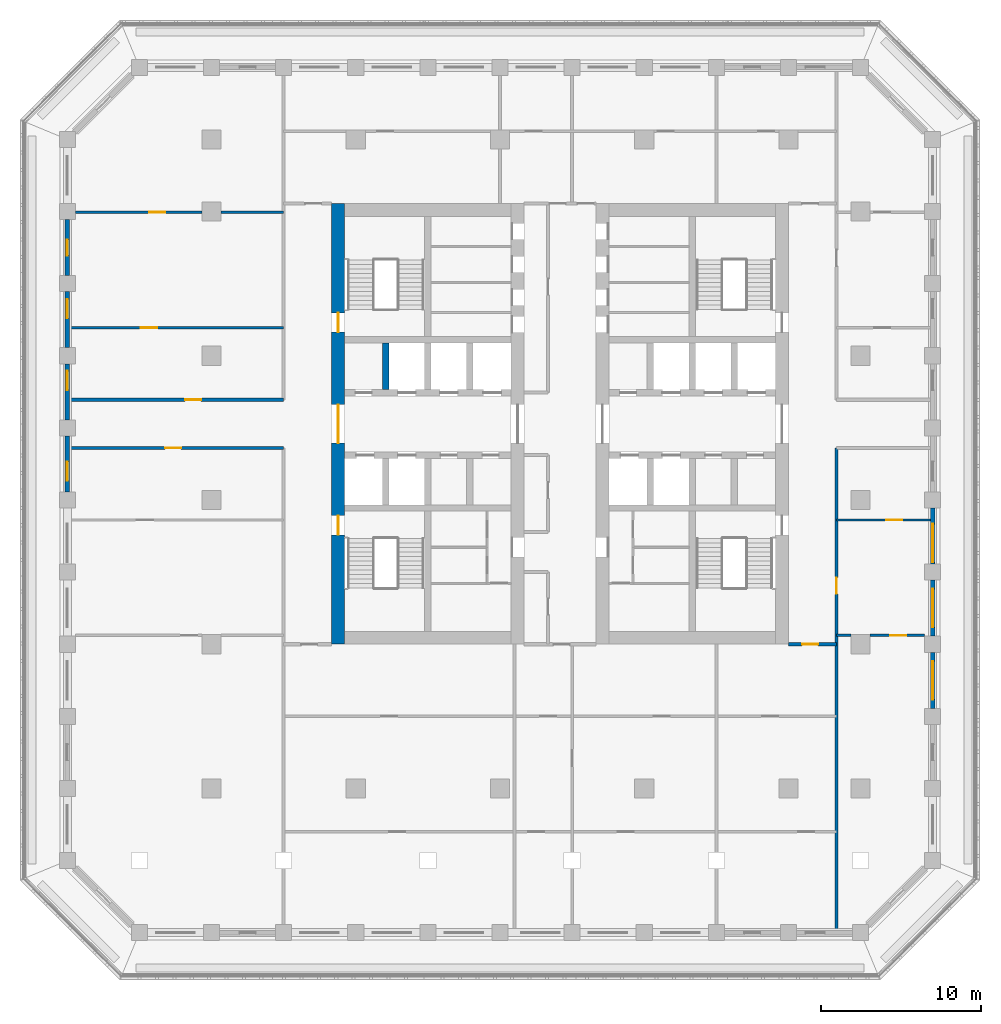
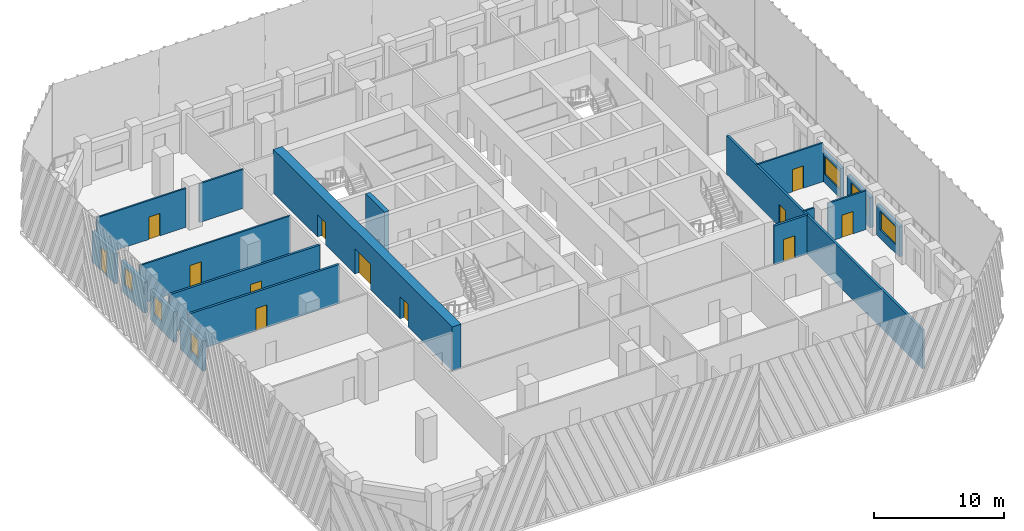
# One storey, part 5 of 17: 19 walls, 12 doors, 6 windows, 18 openings.
"""IFC4 building model written with IfcOpenShell, lengths in metres."""

import ifcopenshell
import ifcopenshell.guid

model = None  # the IFC model being written
_history = None  # IfcOwnerHistory: only IFC2X3 demands one
_inside = {}  # id of a spatial element -> (the spatial element, [elements in it])
_under = {}  # id of a project, library or spatial element -> (it, [spatial elements below it])
_declared = {}  # id of a project -> (the project, [libraries it declares])
_typed = {}  # id of a type object -> (the type object, [elements of that type])
_made_of = {}  # id of a material, layer set ... -> (it, [elements and type objects made of it])


def new_model(schema):
    """Start an empty IFC model of exactly this schema.

    Asked for "IFC4X3", IfcOpenShell would pick the latest addendum, in which some entities
    have other attributes; the version numbers below select the first issue.
    IFC2X3 requires an IfcOwnerHistory on every rooted entity: one is made here for all.
    """
    global model, _history
    if schema == "IFC4X3":
        model = ifcopenshell.file(schema_version=(4, 3, 0, 0))
    else:
        model = ifcopenshell.file(schema=schema)
    _inside.clear()
    _under.clear()
    _declared.clear()
    _typed.clear()
    _made_of.clear()
    _history = None
    if model.schema == "IFC2X3":
        org = make("IfcOrganization", Name="unknown")
        user = make(
            "IfcPersonAndOrganization",
            ThePerson=make("IfcPerson", FamilyName="unknown"),
            TheOrganization=org,
        )
        app = make(
            "IfcApplication",
            ApplicationDeveloper=org,
            Version="unknown",
            ApplicationFullName="unknown",
            ApplicationIdentifier="unknown",
        )
        _history = make(
            "IfcOwnerHistory",
            OwningUser=user,
            OwningApplication=app,
            ChangeAction="ADDED",
            CreationDate=0,
        )
    return model


def make(cls, **values):
    """One entity of the class cls with the attributes given. An attribute that is None is left unset."""
    return model.create_entity(
        cls, **{name: value for name, value in values.items() if value is not None}
    )


def rooted(cls, **values):
    """An entity with a GlobalId (a new one), such as an element, a storey or a relation."""
    return make(cls, GlobalId=ifcopenshell.guid.new(), OwnerHistory=_history, **values)


def si_unit(unit_type, name, prefix=None):
    """IfcSIUnit, for example si_unit("LENGTHUNIT", "METRE", prefix="MILLI")."""
    return make("IfcSIUnit", UnitType=unit_type, Prefix=prefix, Name=name)


def assignment(units):
    """IfcUnitAssignment: the units of a project."""
    return None if units is None else make("IfcUnitAssignment", Units=units)


def point(xyz):
    """IfcCartesianPoint."""
    return None if xyz is None else make("IfcCartesianPoint", Coordinates=xyz)


def direction(xyz):
    """IfcDirection."""
    return None if xyz is None else make("IfcDirection", DirectionRatios=xyz)


def frame(location, z_axis=None, x_axis=None):
    """IfcAxis2Placement3D, a coordinate frame: its origin and axes. An axis left out is left unset."""
    return make(
        "IfcAxis2Placement3D",
        Location=point(location),
        Axis=direction(z_axis),
        RefDirection=direction(x_axis),
    )


def frame_2d(location, x_axis=None):
    """IfcAxis2Placement2D, a coordinate frame in the plane: its origin and x axis."""
    return make(
        "IfcAxis2Placement2D", Location=point(location), RefDirection=direction(x_axis)
    )


def origin():
    """The frame at (0, 0, 0) with its axes left unset."""
    return frame((0.0, 0.0, 0.0))


def place(relative_to, where):
    """IfcLocalPlacement: puts the frame where relative to a parent placement (None: the world)."""
    return make(
        "IfcLocalPlacement", PlacementRelTo=relative_to, RelativePlacement=where
    )


def context(
    kind, dimensions, precision=None, world=None, true_north=None, identifier=None
):
    """IfcGeometricRepresentationContext, for example the 3D "Model" context."""
    return make(
        "IfcGeometricRepresentationContext",
        ContextIdentifier=identifier,
        ContextType=kind,
        CoordinateSpaceDimension=dimensions,
        Precision=precision,
        WorldCoordinateSystem=world,
        TrueNorth=true_north,
    )


def subcontext(parent, identifier, kind, view, scale=None):
    """IfcGeometricRepresentationSubContext, for example "Body" below "Model"."""
    return make(
        "IfcGeometricRepresentationSubContext",
        ContextIdentifier=identifier,
        ContextType=kind,
        ParentContext=parent,
        TargetScale=scale,
        TargetView=view,
    )


def project(units=None, contexts=None):
    """IfcProject with its units and contexts."""
    return rooted(
        "IfcProject",
        Name="project",
        RepresentationContexts=contexts,
        UnitsInContext=assignment(units),
    )


def spatial(cls, under=None, at=None, **own):
    """A site, building, storey or space (cls), placed at a placement, below another one or the project."""
    s = rooted(cls, ObjectPlacement=at, **own)
    if under is not None:
        _under.setdefault(under.id(), (under, []))[1].append(s)
    return s


def profile(cls, at=None, kind="AREA", **sizes):
    """A parametric profile (cls). Its sizes go by their IFC names, for example OverallWidth=200.0."""
    return make(cls, ProfileType=kind, Position=at, **sizes)


def rectangle(**sizes):
    """IfcRectangleProfileDef."""
    return profile("IfcRectangleProfileDef", **sizes)


def extrude(swept, where, along, depth):
    """IfcExtrudedAreaSolid: the profile swept, set in the frame where, extruded along a direction by depth."""
    return make(
        "IfcExtrudedAreaSolid",
        SweptArea=swept,
        Position=where,
        ExtrudedDirection=direction(along),
        Depth=depth,
    )


def shape(context_of_items, identifier, shape_type, items):
    """IfcShapeRepresentation: the items that make up one representation, for example the "Body"."""
    return make(
        "IfcShapeRepresentation",
        ContextOfItems=context_of_items,
        RepresentationIdentifier=identifier,
        RepresentationType=shape_type,
        Items=items,
    )


def material(Name=None, Category=None):
    """IfcMaterial."""
    return make("IfcMaterial", Name=Name, Category=Category)


def layer(
    of_material, thickness, ventilated=None, Name=None, Category=None, Priority=None
):
    """IfcMaterialLayer: one layer of a wall or slab, of a material (None: an air gap)."""
    return make(
        "IfcMaterialLayer",
        Material=of_material,
        LayerThickness=thickness,
        IsVentilated=ventilated,
        Name=Name,
        Category=Category,
        Priority=Priority,
    )


def layer_set(layers, Name=None):
    """IfcMaterialLayerSet."""
    return make("IfcMaterialLayerSet", MaterialLayers=layers, LayerSetName=Name)


def made_of(thing, what):
    """Note that an element or type object is made of a material, layer set ...; save() writes the relation."""
    if what is not None:
        _made_of.setdefault(what.id(), (what, []))[1].append(thing)
    return thing


def type_object(cls, material=None, **own):
    """A type object (cls), such as IfcWallType, which elements share."""
    return made_of(rooted(cls, **own), material)


def element(
    cls,
    number,
    at=None,
    inside=None,
    cuts=None,
    type_object=None,
    material=None,
    context=None,
    identifier="Body",
    shape_type=None,
    held_by="IfcProductDefinitionShape",
    body=None,
    shapes=None,
    **own,
):
    """One element of the class cls, such as IfcWall. Its Tag is "e" and its number.

    at: its placement. inside: the storey or other place that contains it. cuts: it is an
    opening in that element (IfcRelVoidsElement). A single representation is given by context,
    identifier, shape_type and body (its items); several are given by shapes. held_by: the class
    of the entity that holds the representations. save() writes the other relations.
    """
    e = rooted(cls, Tag="e%d" % number, ObjectPlacement=at, **own)
    if body is not None:
        shapes = [shape(context, identifier, shape_type, body)]
    if shapes is not None:
        e.Representation = make(held_by, Representations=shapes)
    if inside is not None:
        _inside.setdefault(inside.id(), (inside, []))[1].append(e)
    if cuts is not None:
        rooted(
            "IfcRelVoidsElement", RelatingBuildingElement=cuts, RelatedOpeningElement=e
        )
    if type_object is not None:
        _typed.setdefault(type_object.id(), (type_object, []))[1].append(e)
    return made_of(e, material)


def fill(opening, filler):
    """IfcRelFillsElement: the door or window that sits in an opening."""
    return rooted(
        "IfcRelFillsElement",
        RelatingOpeningElement=opening,
        RelatedBuildingElement=filler,
    )


def aggregate(whole, parts):
    """IfcRelAggregates: a whole, such as a stair, and the parts it consists of."""
    return rooted("IfcRelAggregates", RelatingObject=whole, RelatedObjects=parts)


def save(model, path):
    """Write the relations noted so far, then the file.

    IfcRelAggregates (storeys below a building ...), IfcRelContainedInSpatialStructure (elements
    in a storey), IfcRelDefinesByType, IfcRelAssociatesMaterial and IfcRelDeclares: one each for
    every whole, place, type object, material and project.
    """
    for whole, parts in _under.values():
        aggregate(whole, parts)
    for where, things in _inside.values():
        rooted(
            "IfcRelContainedInSpatialStructure",
            RelatedElements=things,
            RelatingStructure=where,
        )
    for kind, things in _typed.values():
        rooted("IfcRelDefinesByType", RelatedObjects=things, RelatingType=kind)
    for what, things in _made_of.values():
        rooted("IfcRelAssociatesMaterial", RelatedObjects=things, RelatingMaterial=what)
    for by, libraries in _declared.values():
        rooted("IfcRelDeclares", RelatingContext=by, RelatedDefinitions=libraries)
    model.write(path)


model = new_model("IFC4")

# Units and contexts
model_context = context("Model", 3, precision=1e-05, world=origin(), true_north=direction((0.0, 1.0)))
body_context = subcontext(model_context, "Body", "Model", "MODEL_VIEW")
ifc_project = project(units=[si_unit("LENGTHUNIT", "METRE"), si_unit("AREAUNIT", "SQUARE_METRE"), si_unit("VOLUMEUNIT", "CUBIC_METRE"), si_unit("PLANEANGLEUNIT", "RADIAN"), si_unit("MASSUNIT", "GRAM", prefix="KILO")], contexts=[model_context])

# Site, building, storey
site_placement = place(None, origin())
site = spatial("IfcSite", under=ifc_project, at=site_placement, CompositionType="ELEMENT")
building_placement = place(site_placement, origin())
building = spatial("IfcBuilding", under=site, at=building_placement, Name="Corbel Stack Research Tower", CompositionType="ELEMENT")
storey_placement = place(building_placement, frame((0.0, 0.0, 156.800048828125)))
storey = spatial("IfcBuildingStorey", under=building, at=storey_placement, Name="L35", CompositionType="ELEMENT", Elevation=156.800048828125)

# Wall
ifc_material_1 = material(Name="Concrete C60/75", Category="concrete")
ifc_layer_1 = layer(ifc_material_1, 0.39990234375)
ifc_layer_set_1 = layer_set([ifc_layer_1], Name="Concrete C60/75")
wall_type_1 = type_object("IfcWallType", Name="CW-400-60", PredefinedType="SHEAR", material=ifc_layer_set_1)
wall_1_placement = place(storey_placement, frame((-7.125, 6.89990234375, 0.0), z_axis=(0.0, 0.0, 1.0), x_axis=(0.0, 1.0, 0.0)))
element("IfcWall", 1, at=wall_1_placement, inside=storey, type_object=wall_type_1, Name="West core wall, north shaft 1 L35", PredefinedType="SHEAR", context=body_context, shape_type="SweptSolid", body=[
    extrude(rectangle(XDim=2.900146484375, YDim=0.39990234375, at=frame_2d((1.4501953125, 0.0))), origin(), (0.0, 0.0, 1.0), 4.099853515625),
])

# Wall, openings, doors
ifc_material_2 = material(Name="Concrete C60/75", Category="concrete")
ifc_layer_2 = layer(ifc_material_2, 0.800048828125)
ifc_layer_set_2 = layer_set([ifc_layer_2], Name="Concrete C60/75")
wall_type_2 = type_object("IfcWallType", Name="CW-800-60", PredefinedType="SHEAR", material=ifc_layer_set_2)
wall_2_placement = place(storey_placement, frame((-10.10009765625, -9.0, 0.0), z_axis=(0.0, 0.0, 1.0), x_axis=(0.0, 1.0, 0.0)))
wall_2 = element("IfcWall", 2, at=wall_2_placement, inside=storey, type_object=wall_type_2, Name="West core wall, west face L35", PredefinedType="SHEAR", context=body_context, shape_type="SweptSolid", body=[
    extrude(rectangle(XDim=27.5, YDim=0.800048828125, at=frame_2d((13.75, 0.0))), origin(), (0.0, 0.0, 1.0), 4.099853515625),
])
opening_1_placement = place(wall_2_placement, frame((12.550048828125, 0.0, 0.0)))
opening_1 = element("IfcOpeningElement", 3, at=opening_1_placement, cuts=wall_2, Name="Opening CD-W-W", PredefinedType="OPENING", context=body_context, shape_type="SweptSolid", body=[
    extrude(rectangle(XDim=2.39990234375, YDim=2.39990234375, at=frame_2d((1.199951171875, 1.199951171875))), frame((0.0, 0.409912109375, 0.0), z_axis=(0.0, -1.0, 0.0), x_axis=(1.0, 0.0, 0.0)), (0.0, 0.0, 1.0), 0.820068359375),
])
opening_2_placement = place(wall_2_placement, frame((6.824951171875, 0.0, 0.0)))
opening_2 = element("IfcOpeningElement", 4, at=opening_2_placement, cuts=wall_2, Name="Opening SD-ST-W1", PredefinedType="OPENING", context=body_context, shape_type="SweptSolid", body=[
    extrude(rectangle(XDim=1.199951171875, YDim=2.10009765625, at=frame_2d((0.60009765625, 1.050048828125))), frame((0.0, 0.409912109375, 0.0), z_axis=(0.0, -1.0, 0.0), x_axis=(1.0, 0.0, 0.0)), (0.0, 0.0, 1.0), 0.820068359375),
])
opening_3_placement = place(wall_2_placement, frame((19.47509765625, 0.0, 0.0)))
opening_3 = element("IfcOpeningElement", 5, at=opening_3_placement, cuts=wall_2, Name="Opening SD-ST-W2", PredefinedType="OPENING", context=body_context, shape_type="SweptSolid", body=[
    extrude(rectangle(XDim=1.199951171875, YDim=2.10009765625, at=frame_2d((0.60009765625, 1.050048828125))), frame((0.0, 0.409912109375, 0.0), z_axis=(0.0, -1.0, 0.0), x_axis=(1.0, 0.0, 0.0)), (0.0, 0.0, 1.0), 0.820068359375),
])
ifc_material_3 = material(Name="Painted steel fire door", Category="steel")
door_type_1 = type_object("IfcDoorType", Name="Lobby door pair 2400 x 2400 FD30S", OperationType="DOUBLE_DOOR_DOUBLE_SWING", PredefinedType="DOOR", material=ifc_material_3)
door_1_placement = place(opening_1_placement, origin())
door_1 = element("IfcDoor", 6, at=door_1_placement, inside=storey, type_object=door_type_1, Name="Lift lobby door W core W", OperationType="DOUBLE_DOOR_DOUBLE_SWING", OverallHeight=2.39990234375, OverallWidth=2.39990234375, PredefinedType="DOOR", context=body_context, shape_type="SweptSolid", body=[
    extrude(rectangle(XDim=2.39990234375, YDim=2.39990234375, at=frame_2d((1.199951171875, 1.199951171875))), frame((0.0, 0.02490234375, 0.0), z_axis=(0.0, -1.0, 0.0), x_axis=(1.0, 0.0, 0.0)), (0.0, 0.0, 1.0), 0.050048828125),
])
fill(opening_1, door_1)
ifc_material_4 = material(Name="Painted steel fire door", Category="steel")
door_type_2 = type_object("IfcDoorType", Name="Stair door 1200 x 2100 FD90 left hand", OperationType="SINGLE_SWING_LEFT", PredefinedType="DOOR", material=ifc_material_4)
door_2_placement = place(opening_2_placement, origin())
door_2 = element("IfcDoor", 7, at=door_2_placement, inside=storey, type_object=door_type_2, Name="Stair door ST-W1", OperationType="SINGLE_SWING_LEFT", OverallHeight=2.10009765625, OverallWidth=1.199951171875, PredefinedType="DOOR", context=body_context, shape_type="SweptSolid", body=[
    extrude(rectangle(XDim=1.199951171875, YDim=2.10009765625, at=frame_2d((0.60009765625, 1.050048828125))), frame((0.0, 0.02490234375, 0.0), z_axis=(0.0, -1.0, 0.0), x_axis=(1.0, 0.0, 0.0)), (0.0, 0.0, 1.0), 0.050048828125),
])
fill(opening_2, door_2)
door_3_placement = place(opening_3_placement, origin())
door_3 = element("IfcDoor", 8, at=door_3_placement, inside=storey, type_object=door_type_2, Name="Stair door ST-W2", OperationType="SINGLE_SWING_LEFT", OverallHeight=2.10009765625, OverallWidth=1.199951171875, PredefinedType="DOOR", context=body_context, shape_type="SweptSolid", body=[
    extrude(rectangle(XDim=1.199951171875, YDim=2.10009765625, at=frame_2d((0.60009765625, 1.050048828125))), frame((0.0, 0.02490234375, 0.0), z_axis=(0.0, -1.0, 0.0), x_axis=(1.0, 0.0, 0.0)), (0.0, 0.0, 1.0), 0.050048828125),
])
fill(opening_3, door_3)

# Wall, opening, door
ifc_material_5 = material(Name="Fire-rated gypsum board partition on steel studs", Category="steel")
ifc_layer_3 = layer(ifc_material_5, 0.199951171875)
ifc_layer_set_3 = layer_set([ifc_layer_3], Name="Fire-rated gypsum board partition on steel studs")
wall_type_3 = type_object("IfcWallType", Name="Fire-rated partition 200 EI 60", PredefinedType="PARTITIONING", material=ifc_layer_set_3)
wall_3_placement = place(storey_placement, frame((21.0, 3.25, 0.0), z_axis=(0.0, 0.0, 1.0), x_axis=(0.0, -1.0, 0.0)))
wall_3 = element("IfcWall", 9, at=wall_3_placement, inside=storey, type_object=wall_type_3, Name="Partition L35-016", PredefinedType="PARTITIONING", context=body_context, shape_type="SweptSolid", body=[
    extrude(rectangle(XDim=30.10009765625, YDim=0.199951171875, at=frame_2d((15.050048828125, 0.0))), origin(), (0.0, 0.0, 1.0), 3.64990234375),
])
opening_4_placement = place(wall_3_placement, frame((8.10009765625, 0.0, 0.0)))
opening_4 = element("IfcOpeningElement", 10, at=opening_4_placement, cuts=wall_3, Name="Opening B5V0H-030", PredefinedType="OPENING", context=body_context, shape_type="SweptSolid", body=[
    extrude(rectangle(XDim=1.0, YDim=2.10009765625, at=frame_2d((0.5, 1.050048828125))), frame((0.0, 0.10986328125, 0.0), z_axis=(0.0, -1.0, 0.0), x_axis=(1.0, 0.0, 0.0)), (0.0, 0.0, 1.0), 0.219970703125),
])
ifc_material_6 = material(Name="Painted steel fire door", Category="steel")
door_type_3 = type_object("IfcDoorType", Name="Fire door FD30S 1000 x 2100", OperationType="NOTDEFINED", PredefinedType="DOOR", material=ifc_material_6)
door_4_placement = place(opening_4_placement, origin())
door_4 = element("IfcDoor", 11, at=door_4_placement, inside=storey, type_object=door_type_3, Name="Door B5V0H-030", OperationType="SINGLE_SWING_LEFT", OverallHeight=2.10009765625, OverallWidth=1.0, PredefinedType="DOOR", context=body_context, shape_type="SweptSolid", body=[
    extrude(rectangle(XDim=1.0, YDim=2.10009765625, at=frame_2d((0.5, 1.050048828125))), frame((0.0, 0.02490234375, 0.0), z_axis=(0.0, -1.0, 0.0), x_axis=(1.0, 0.0, 0.0)), (0.0, 0.0, 1.0), 0.050048828125),
])
fill(opening_4, door_4)

wall_4_placement = place(storey_placement, frame((21.0, -9.0, 0.0), z_axis=(0.0, 0.0, 1.0), x_axis=(-1.0, 0.0, 0.0)))
wall_4 = element("IfcWall", 12, at=wall_4_placement, inside=storey, type_object=wall_type_3, Name="Partition L35-022", PredefinedType="PARTITIONING", context=body_context, shape_type="SweptSolid", body=[
    extrude(rectangle(XDim=3.0, YDim=0.199951171875, at=frame_2d((1.5, 0.0))), origin(), (0.0, 0.0, 1.0), 3.64990234375),
])
opening_5_placement = place(wall_4_placement, frame((1.14990234375, 0.0, 0.0)))
opening_5 = element("IfcOpeningElement", 13, at=opening_5_placement, cuts=wall_4, Name="Opening B5V0H-011", PredefinedType="OPENING", context=body_context, shape_type="SweptSolid", body=[
    extrude(rectangle(XDim=1.0, YDim=2.10009765625, at=frame_2d((0.5, 1.050048828125))), frame((0.0, 0.10986328125, 0.0), z_axis=(0.0, -1.0, 0.0), x_axis=(1.0, 0.0, 0.0)), (0.0, 0.0, 1.0), 0.219970703125),
])
door_5_placement = place(opening_5_placement, origin())
door_5 = element("IfcDoor", 14, at=door_5_placement, inside=storey, type_object=door_type_3, Name="Door B5V0H-011", OperationType="SINGLE_SWING_RIGHT", OverallHeight=2.10009765625, OverallWidth=1.0, PredefinedType="DOOR", context=body_context, shape_type="SweptSolid", body=[
    extrude(rectangle(XDim=1.0, YDim=2.10009765625, at=frame_2d((0.5, 1.050048828125))), frame((0.0, 0.02490234375, 0.0), z_axis=(0.0, -1.0, 0.0), x_axis=(1.0, 0.0, 0.0)), (0.0, 0.0, 1.0), 0.050048828125),
])
fill(opening_5, door_5)

wall_5_placement = place(storey_placement, frame((-13.5, 3.25, 0.0), z_axis=(0.0, 0.0, 1.0), x_axis=(-1.0, 0.0, 0.0)))
wall_5 = element("IfcWall", 15, at=wall_5_placement, inside=storey, type_object=wall_type_3, Name="Partition L35-032", PredefinedType="PARTITIONING", context=body_context, shape_type="SweptSolid", body=[
    extrude(rectangle(XDim=13.35009765625, YDim=0.199951171875, at=frame_2d((6.675048828125, 0.0))), origin(), (0.0, 0.0, 1.0), 3.64990234375),
])
opening_6_placement = place(wall_5_placement, frame((6.39990234375, 0.0, 0.0)))
opening_6 = element("IfcOpeningElement", 16, at=opening_6_placement, cuts=wall_5, Name="Opening B5V0H-019", PredefinedType="OPENING", context=body_context, shape_type="SweptSolid", body=[
    extrude(rectangle(XDim=1.0, YDim=2.10009765625, at=frame_2d((0.5, 1.050048828125))), frame((0.0, 0.10986328125, 0.0), z_axis=(0.0, -1.0, 0.0), x_axis=(1.0, 0.0, 0.0)), (0.0, 0.0, 1.0), 0.219970703125),
])
door_6_placement = place(opening_6_placement, origin())
door_6 = element("IfcDoor", 17, at=door_6_placement, inside=storey, type_object=door_type_3, Name="Door B5V0H-019", OperationType="SINGLE_SWING_RIGHT", OverallHeight=2.10009765625, OverallWidth=1.0, PredefinedType="DOOR", context=body_context, shape_type="SweptSolid", body=[
    extrude(rectangle(XDim=1.0, YDim=2.10009765625, at=frame_2d((0.5, 1.050048828125))), frame((0.0, 0.02490234375, 0.0), z_axis=(0.0, -1.0, 0.0), x_axis=(1.0, 0.0, 0.0)), (0.0, 0.0, 1.0), 0.050048828125),
])
fill(opening_6, door_6)

wall_6_placement = place(storey_placement, frame((-26.85009765625, 6.25, 0.0), z_axis=(0.0, 0.0, 1.0), x_axis=(1.0, 0.0, 0.0)))
wall_6 = element("IfcWall", 18, at=wall_6_placement, inside=storey, type_object=wall_type_3, Name="Partition L35-034", PredefinedType="PARTITIONING", context=body_context, shape_type="SweptSolid", body=[
    extrude(rectangle(XDim=13.35009765625, YDim=0.199951171875, at=frame_2d((6.675048828125, 0.0))), origin(), (0.0, 0.0, 1.0), 3.64990234375),
])
opening_7_placement = place(wall_6_placement, frame((7.199951171875, 0.0, 0.0)))
opening_7 = element("IfcOpeningElement", 19, at=opening_7_placement, cuts=wall_6, Name="Opening B5V0H-021", PredefinedType="OPENING", context=body_context, shape_type="SweptSolid", body=[
    extrude(rectangle(XDim=1.0, YDim=2.10009765625, at=frame_2d((0.5, 1.050048828125))), frame((0.0, 0.10986328125, 0.0), z_axis=(0.0, -1.0, 0.0), x_axis=(1.0, 0.0, 0.0)), (0.0, 0.0, 1.0), 0.219970703125),
])
door_7_placement = place(opening_7_placement, origin())
door_7 = element("IfcDoor", 20, at=door_7_placement, inside=storey, type_object=door_type_3, Name="Door B5V0H-021", OperationType="SINGLE_SWING_RIGHT", OverallHeight=2.10009765625, OverallWidth=1.0, PredefinedType="DOOR", context=body_context, shape_type="SweptSolid", body=[
    extrude(rectangle(XDim=1.0, YDim=2.10009765625, at=frame_2d((0.5, 1.050048828125))), frame((0.0, 0.02490234375, 0.0), z_axis=(0.0, -1.0, 0.0), x_axis=(1.0, 0.0, 0.0)), (0.0, 0.0, 1.0), 0.050048828125),
])
fill(opening_7, door_7)

# Wall
ifc_material_7 = material(Name="Gypsum board partition on steel studs", Category="steel")
ifc_layer_4 = layer(ifc_material_7, 0.14990234375)
ifc_layer_set_4 = layer_set([ifc_layer_4], Name="Gypsum board partition on steel studs")
wall_type_4 = type_object("IfcWallType", Name="Partition 150", PredefinedType="PARTITIONING", material=ifc_layer_set_4)
wall_7_placement = place(storey_placement, frame((21.0, -8.449951171875, 0.0), z_axis=(0.0, 0.0, 1.0), x_axis=(1.0, 0.0, 0.0)))
element("IfcWall", 21, at=wall_7_placement, inside=storey, type_object=wall_type_4, Name="Partition L35-025", PredefinedType="PARTITIONING", context=body_context, shape_type="SweptSolid", body=[
    extrude(rectangle(XDim=0.89990234375, YDim=0.14990234375, at=frame_2d((0.449951171875, 0.0))), origin(), (0.0, 0.0, 1.0), 3.64990234375),
])

# Wall, opening, door
wall_8_placement = place(storey_placement, frame((26.5, -8.449951171875, 0.0), z_axis=(0.0, 0.0, 1.0), x_axis=(-1.0, 0.0, 0.0)))
wall_8 = element("IfcWall", 22, at=wall_8_placement, inside=storey, type_object=wall_type_4, Name="Partition L35-026", PredefinedType="PARTITIONING", context=body_context, shape_type="SweptSolid", body=[
    extrude(rectangle(XDim=3.39990234375, YDim=0.14990234375, at=frame_2d((1.699951171875, 0.0))), origin(), (0.0, 0.0, 1.0), 3.64990234375),
])
opening_8_placement = place(wall_8_placement, frame((1.14990234375, 0.0, 0.0)))
opening_8 = element("IfcOpeningElement", 23, at=opening_8_placement, cuts=wall_8, Name="Opening B5V0H-013", PredefinedType="OPENING", context=body_context, shape_type="SweptSolid", body=[
    extrude(rectangle(XDim=1.0, YDim=2.10009765625, at=frame_2d((0.5, 1.050048828125))), frame((0.0, 0.0849609375, 0.0), z_axis=(0.0, -1.0, 0.0), x_axis=(1.0, 0.0, 0.0)), (0.0, 0.0, 1.0), 0.169921875),
])
ifc_material_8 = material(Name="Painted timber door", Category="wood")
door_type_4 = type_object("IfcDoorType", Name="Single door 1000 x 2100", OperationType="NOTDEFINED", PredefinedType="DOOR", material=ifc_material_8)
door_8_placement = place(opening_8_placement, origin())
door_8 = element("IfcDoor", 24, at=door_8_placement, inside=storey, type_object=door_type_4, Name="Door B5V0H-013", OperationType="SINGLE_SWING_LEFT", OverallHeight=2.10009765625, OverallWidth=1.0, PredefinedType="DOOR", context=body_context, shape_type="SweptSolid", body=[
    extrude(rectangle(XDim=1.0, YDim=2.10009765625, at=frame_2d((0.5, 1.050048828125))), frame((0.0, 0.02490234375, 0.0), z_axis=(0.0, -1.0, 0.0), x_axis=(1.0, 0.0, 0.0)), (0.0, 0.0, 1.0), 0.050048828125),
])
fill(opening_8, door_8)

wall_9_placement = place(storey_placement, frame((21.0, -1.25, 0.0), z_axis=(0.0, 0.0, 1.0), x_axis=(1.0, 0.0, 0.0)))
wall_9 = element("IfcWall", 25, at=wall_9_placement, inside=storey, type_object=wall_type_4, Name="Partition L35-030", PredefinedType="PARTITIONING", context=body_context, shape_type="SweptSolid", body=[
    extrude(rectangle(XDim=5.85009765625, YDim=0.14990234375, at=frame_2d((2.925048828125, 0.0))), origin(), (0.0, 0.0, 1.0), 3.64990234375),
])
opening_9_placement = place(wall_9_placement, frame((3.10009765625, 0.0, 0.0)))
opening_9 = element("IfcOpeningElement", 26, at=opening_9_placement, cuts=wall_9, Name="Opening B5V0H-015", PredefinedType="OPENING", context=body_context, shape_type="SweptSolid", body=[
    extrude(rectangle(XDim=1.0, YDim=2.10009765625, at=frame_2d((0.5, 1.050048828125))), frame((0.0, 0.0849609375, 0.0), z_axis=(0.0, -1.0, 0.0), x_axis=(1.0, 0.0, 0.0)), (0.0, 0.0, 1.0), 0.169921875),
])
door_9_placement = place(opening_9_placement, origin())
door_9 = element("IfcDoor", 27, at=door_9_placement, inside=storey, type_object=door_type_4, Name="Door B5V0H-015", OperationType="SINGLE_SWING_RIGHT", OverallHeight=2.10009765625, OverallWidth=1.0, PredefinedType="DOOR", context=body_context, shape_type="SweptSolid", body=[
    extrude(rectangle(XDim=1.0, YDim=2.10009765625, at=frame_2d((0.5, 1.050048828125))), frame((0.0, 0.02490234375, 0.0), z_axis=(0.0, -1.0, 0.0), x_axis=(1.0, 0.0, 0.0)), (0.0, 0.0, 1.0), 0.050048828125),
])
fill(opening_9, door_9)

wall_10_placement = place(storey_placement, frame((-26.85009765625, 10.75, 0.0), z_axis=(0.0, 0.0, 1.0), x_axis=(1.0, 0.0, 0.0)))
wall_10 = element("IfcWall", 28, at=wall_10_placement, inside=storey, type_object=wall_type_4, Name="Partition L35-037", PredefinedType="PARTITIONING", context=body_context, shape_type="SweptSolid", body=[
    extrude(rectangle(XDim=13.35009765625, YDim=0.14990234375, at=frame_2d((6.675048828125, 0.0))), origin(), (0.0, 0.0, 1.0), 3.64990234375),
])
opening_10_placement = place(wall_10_placement, frame((4.449951171875, 0.0, 0.0)))
opening_10 = element("IfcOpeningElement", 29, at=opening_10_placement, cuts=wall_10, Name="Opening B5V0H-022", PredefinedType="OPENING", context=body_context, shape_type="SweptSolid", body=[
    extrude(rectangle(XDim=1.0, YDim=2.10009765625, at=frame_2d((0.5, 1.050048828125))), frame((0.0, 0.0849609375, 0.0), z_axis=(0.0, -1.0, 0.0), x_axis=(1.0, 0.0, 0.0)), (0.0, 0.0, 1.0), 0.169921875),
])
door_10_placement = place(opening_10_placement, origin())
door_10 = element("IfcDoor", 30, at=door_10_placement, inside=storey, type_object=door_type_4, Name="Door B5V0H-022", OperationType="SINGLE_SWING_LEFT", OverallHeight=2.10009765625, OverallWidth=1.0, PredefinedType="DOOR", context=body_context, shape_type="SweptSolid", body=[
    extrude(rectangle(XDim=1.0, YDim=2.10009765625, at=frame_2d((0.5, 1.050048828125))), frame((0.0, 0.02490234375, 0.0), z_axis=(0.0, -1.0, 0.0), x_axis=(1.0, 0.0, 0.0)), (0.0, 0.0, 1.0), 0.050048828125),
])
fill(opening_10, door_10)

wall_11_placement = place(storey_placement, frame((-26.5, 17.949951171875, 0.0), z_axis=(0.0, 0.0, 1.0), x_axis=(1.0, 0.0, 0.0)))
wall_11 = element("IfcWall", 31, at=wall_11_placement, inside=storey, type_object=wall_type_4, Name="Partition L35-039", PredefinedType="PARTITIONING", context=body_context, shape_type="SweptSolid", body=[
    extrude(rectangle(XDim=7.89990234375, YDim=0.14990234375, at=frame_2d((3.949951171875, 0.0))), origin(), (0.0, 0.0, 1.0), 3.64990234375),
])
opening_11_placement = place(wall_11_placement, frame((4.60009765625, 0.0, 0.0)))
opening_11 = element("IfcOpeningElement", 32, at=opening_11_placement, cuts=wall_11, Name="Opening B5V0H-024", PredefinedType="OPENING", context=body_context, shape_type="SweptSolid", body=[
    extrude(rectangle(XDim=1.0, YDim=2.10009765625, at=frame_2d((0.5, 1.050048828125))), frame((0.0, 0.0849609375, 0.0), z_axis=(0.0, -1.0, 0.0), x_axis=(1.0, 0.0, 0.0)), (0.0, 0.0, 1.0), 0.169921875),
])
door_11_placement = place(opening_11_placement, origin())
door_11 = element("IfcDoor", 33, at=door_11_placement, inside=storey, type_object=door_type_4, Name="Door B5V0H-024", OperationType="SINGLE_SWING_RIGHT", OverallHeight=2.10009765625, OverallWidth=1.0, PredefinedType="DOOR", context=body_context, shape_type="SweptSolid", body=[
    extrude(rectangle(XDim=1.0, YDim=2.10009765625, at=frame_2d((0.5, 1.050048828125))), frame((0.0, 0.02490234375, 0.0), z_axis=(0.0, -1.0, 0.0), x_axis=(1.0, 0.0, 0.0)), (0.0, 0.0, 1.0), 0.050048828125),
])
fill(opening_11, door_11)

# Wall
wall_12_placement = place(storey_placement, frame((-17.39990234375, 17.949951171875, 0.0), z_axis=(0.0, 0.0, 1.0), x_axis=(1.0, 0.0, 0.0)))
element("IfcWall", 34, at=wall_12_placement, inside=storey, type_object=wall_type_4, Name="Partition L35-040", PredefinedType="PARTITIONING", context=body_context, shape_type="SweptSolid", body=[
    extrude(rectangle(XDim=3.89990234375, YDim=0.14990234375, at=frame_2d((1.949951171875, 0.0))), origin(), (0.0, 0.0, 1.0), 3.64990234375),
])

# Wall, opening, window
ifc_material_9 = material(Name="Concrete C45/55", Category="concrete")
ifc_layer_5 = layer(ifc_material_9, 0.300048828125)
ifc_layer_set_5 = layer_set([ifc_layer_5], Name="Concrete C45/55")
wall_type_5 = type_object("IfcWallType", Name="Terracotta-faced concrete wall 300", PredefinedType="SOLIDWALL", material=ifc_layer_set_5)
wall_13_placement = place(storey_placement, frame((27.0, -9.5, 0.0), z_axis=(0.0, 0.0, 1.0), x_axis=(0.0, -1.0, 0.0)))
wall_13 = element("IfcWall", 35, at=wall_13_placement, inside=storey, type_object=wall_type_5, Name="Facade wall L35 E03", PredefinedType="SOLIDWALL", context=body_context, shape_type="SweptSolid", body=[
    extrude(rectangle(XDim=3.5, YDim=0.300048828125, at=frame_2d((1.75, 0.0))), origin(), (0.0, 0.0, 1.0), 2.849853515625),
])
opening_12_placement = place(wall_13_placement, frame((0.550048828125, 0.0, 0.800048828125)))
opening_12 = element("IfcOpeningElement", 36, at=opening_12_placement, cuts=wall_13, Name="Opening W1", PredefinedType="OPENING", context=body_context, shape_type="SweptSolid", body=[
    extrude(rectangle(XDim=2.39990234375, YDim=1.699951171875, at=frame_2d((1.199951171875, 0.85009765625))), frame((0.0, 0.159912109375, 0.0), z_axis=(0.0, -1.0, 0.0), x_axis=(1.0, 0.0, 0.0)), (0.0, 0.0, 1.0), 0.320068359375),
])
ifc_material_10 = material(Name="Aluminium frame, clear double glazing", Category="aluminium")
window_type_1 = type_object("IfcWindowType", Name="Window W1 2400 x 1700", PartitioningType="SINGLE_PANEL", PredefinedType="WINDOW", material=ifc_material_10)
window_1_placement = place(opening_12_placement, origin())
window_1 = element("IfcWindow", 37, at=window_1_placement, inside=storey, type_object=window_type_1, Name="Window W1 L35 E03", OverallHeight=1.699951171875, OverallWidth=2.39990234375, PartitioningType="SINGLE_PANEL", PredefinedType="WINDOW", context=body_context, shape_type="SweptSolid", body=[
    extrude(rectangle(XDim=2.39990234375, YDim=1.699951171875, at=frame_2d((1.199951171875, 0.85009765625))), frame((0.0, 0.030029296875, 0.0), z_axis=(0.0, -1.0, 0.0), x_axis=(1.0, 0.0, 0.0)), (0.0, 0.0, 1.0), 0.06005859375),
])
fill(opening_12, window_1)

wall_14_placement = place(storey_placement, frame((27.0, -5.0, 0.0), z_axis=(0.0, 0.0, 1.0), x_axis=(0.0, -1.0, 0.0)))
wall_14 = element("IfcWall", 38, at=wall_14_placement, inside=storey, type_object=wall_type_5, Name="Facade wall L35 E04", PredefinedType="SOLIDWALL", context=body_context, shape_type="SweptSolid", body=[
    extrude(rectangle(XDim=3.5, YDim=0.300048828125, at=frame_2d((1.75, 0.0))), origin(), (0.0, 0.0, 1.0), 2.849853515625),
])
opening_13_placement = place(wall_14_placement, frame((0.550048828125, 0.0, 0.800048828125)))
opening_13 = element("IfcOpeningElement", 39, at=opening_13_placement, cuts=wall_14, Name="Opening W1", PredefinedType="OPENING", context=body_context, shape_type="SweptSolid", body=[
    extrude(rectangle(XDim=2.39990234375, YDim=1.699951171875, at=frame_2d((1.199951171875, 0.85009765625))), frame((0.0, 0.159912109375, 0.0), z_axis=(0.0, -1.0, 0.0), x_axis=(1.0, 0.0, 0.0)), (0.0, 0.0, 1.0), 0.320068359375),
])
window_2_placement = place(opening_13_placement, origin())
window_2 = element("IfcWindow", 40, at=window_2_placement, inside=storey, type_object=window_type_1, Name="Window W1 L35 E04", OverallHeight=1.699951171875, OverallWidth=2.39990234375, PartitioningType="SINGLE_PANEL", PredefinedType="WINDOW", context=body_context, shape_type="SweptSolid", body=[
    extrude(rectangle(XDim=2.39990234375, YDim=1.699951171875, at=frame_2d((1.199951171875, 0.85009765625))), frame((0.0, 0.030029296875, 0.0), z_axis=(0.0, -1.0, 0.0), x_axis=(1.0, 0.0, 0.0)), (0.0, 0.0, 1.0), 0.06005859375),
])
fill(opening_13, window_2)

wall_15_placement = place(storey_placement, frame((27.0, -0.5, 0.0), z_axis=(0.0, 0.0, 1.0), x_axis=(0.0, -1.0, 0.0)))
wall_15 = element("IfcWall", 41, at=wall_15_placement, inside=storey, type_object=wall_type_5, Name="Facade wall L35 E05", PredefinedType="SOLIDWALL", context=body_context, shape_type="SweptSolid", body=[
    extrude(rectangle(XDim=3.5, YDim=0.300048828125, at=frame_2d((1.75, 0.0))), origin(), (0.0, 0.0, 1.0), 2.849853515625),
])
opening_14_placement = place(wall_15_placement, frame((0.987548828125, 0.0, 0.800048828125)))
opening_14 = element("IfcOpeningElement", 42, at=opening_14_placement, cuts=wall_15, Name="Opening W1", PredefinedType="OPENING", context=body_context, shape_type="SweptSolid", body=[
    extrude(rectangle(XDim=2.39990234375, YDim=1.699951171875, at=frame_2d((1.199951171875, 0.85009765625))), frame((0.0, 0.159912109375, 0.0), z_axis=(0.0, -1.0, 0.0), x_axis=(1.0, 0.0, 0.0)), (0.0, 0.0, 1.0), 0.320068359375),
])
window_3_placement = place(opening_14_placement, origin())
window_3 = element("IfcWindow", 43, at=window_3_placement, inside=storey, type_object=window_type_1, Name="Window W1 L35 E05", OverallHeight=1.699951171875, OverallWidth=2.39990234375, PartitioningType="SINGLE_PANEL", PredefinedType="WINDOW", context=body_context, shape_type="SweptSolid", body=[
    extrude(rectangle(XDim=2.39990234375, YDim=1.699951171875, at=frame_2d((1.199951171875, 0.85009765625))), frame((0.0, 0.030029296875, 0.0), z_axis=(0.0, -1.0, 0.0), x_axis=(1.0, 0.0, 0.0)), (0.0, 0.0, 1.0), 0.06005859375),
])
fill(opening_14, window_3)

# Wall, opening, door
wall_16_placement = place(storey_placement, frame((-27.0, 14.0, 0.0), z_axis=(0.0, 0.0, 1.0), x_axis=(0.0, 1.0, 0.0)))
wall_16 = element("IfcWall", 44, at=wall_16_placement, inside=storey, type_object=wall_type_5, Name="Facade wall L35 W02", PredefinedType="SOLIDWALL", context=body_context, shape_type="SweptSolid", body=[
    extrude(rectangle(XDim=3.5, YDim=0.300048828125, at=frame_2d((1.75, 0.0))), origin(), (0.0, 0.0, 1.0), 2.849853515625),
])
opening_15_placement = place(wall_16_placement, frame((1.25, 0.0, 0.0)))
opening_15 = element("IfcOpeningElement", 45, at=opening_15_placement, cuts=wall_16, Name="Opening L35-B10", PredefinedType="OPENING", context=body_context, shape_type="SweptSolid", body=[
    extrude(rectangle(XDim=1.0, YDim=2.199951171875, at=frame_2d((0.5, 1.10009765625))), frame((0.0, 0.159912109375, 0.0), z_axis=(0.0, -1.0, 0.0), x_axis=(1.0, 0.0, 0.0)), (0.0, 0.0, 1.0), 0.320068359375),
])
ifc_material_11 = material(Name="Aluminium frame, clear double glazing", Category="aluminium")
door_type_5 = type_object("IfcDoorType", Name="Balcony door BD1 1000 x 2200", OperationType="NOTDEFINED", PredefinedType="DOOR", material=ifc_material_11)
door_12_placement = place(opening_15_placement, origin())
door_12 = element("IfcDoor", 46, at=door_12_placement, inside=storey, type_object=door_type_5, Name="Balcony door L35-B10", OperationType="SINGLE_SWING_LEFT", OverallHeight=2.199951171875, OverallWidth=1.0, PredefinedType="DOOR", context=body_context, shape_type="SweptSolid", body=[
    extrude(rectangle(XDim=1.0, YDim=2.199951171875, at=frame_2d((0.5, 1.10009765625))), frame((0.0, 0.02490234375, 0.0), z_axis=(0.0, -1.0, 0.0), x_axis=(1.0, 0.0, 0.0)), (0.0, 0.0, 1.0), 0.050048828125),
])
fill(opening_15, door_12)

# Wall, opening, window
wall_17_placement = place(storey_placement, frame((-27.0, 9.5, 0.0), z_axis=(0.0, 0.0, 1.0), x_axis=(0.0, 1.0, 0.0)))
wall_17 = element("IfcWall", 47, at=wall_17_placement, inside=storey, type_object=wall_type_5, Name="Facade wall L35 W03", PredefinedType="SOLIDWALL", context=body_context, shape_type="SweptSolid", body=[
    extrude(rectangle(XDim=3.5, YDim=0.300048828125, at=frame_2d((1.75, 0.0))), origin(), (0.0, 0.0, 1.0), 2.849853515625),
])
opening_16_placement = place(wall_17_placement, frame((1.83740234375, 0.0, 0.800048828125)))
opening_16 = element("IfcOpeningElement", 48, at=opening_16_placement, cuts=wall_17, Name="Opening W2", PredefinedType="OPENING", context=body_context, shape_type="SweptSolid", body=[
    extrude(rectangle(XDim=1.199951171875, YDim=1.699951171875, at=frame_2d((0.60009765625, 0.85009765625))), frame((0.0, 0.159912109375, 0.0), z_axis=(0.0, -1.0, 0.0), x_axis=(1.0, 0.0, 0.0)), (0.0, 0.0, 1.0), 0.320068359375),
])
ifc_material_12 = material(Name="Aluminium frame, clear double glazing", Category="aluminium")
window_type_2 = type_object("IfcWindowType", Name="Window W2 1200 x 1700", PartitioningType="SINGLE_PANEL", PredefinedType="WINDOW", material=ifc_material_12)
window_4_placement = place(opening_16_placement, origin())
window_4 = element("IfcWindow", 49, at=window_4_placement, inside=storey, type_object=window_type_2, Name="Window W2 L35 W03", OverallHeight=1.699951171875, OverallWidth=1.199951171875, PartitioningType="SINGLE_PANEL", PredefinedType="WINDOW", context=body_context, shape_type="SweptSolid", body=[
    extrude(rectangle(XDim=1.199951171875, YDim=1.699951171875, at=frame_2d((0.60009765625, 0.85009765625))), frame((0.0, 0.030029296875, 0.0), z_axis=(0.0, -1.0, 0.0), x_axis=(1.0, 0.0, 0.0)), (0.0, 0.0, 1.0), 0.06005859375),
])
fill(opening_16, window_4)

wall_18_placement = place(storey_placement, frame((-27.0, 5.0, 0.0), z_axis=(0.0, 0.0, 1.0), x_axis=(0.0, 1.0, 0.0)))
wall_18 = element("IfcWall", 50, at=wall_18_placement, inside=storey, type_object=wall_type_5, Name="Facade wall L35 W04", PredefinedType="SOLIDWALL", context=body_context, shape_type="SweptSolid", body=[
    extrude(rectangle(XDim=3.5, YDim=0.300048828125, at=frame_2d((1.75, 0.0))), origin(), (0.0, 0.0, 1.0), 2.849853515625),
])
opening_17_placement = place(wall_18_placement, frame((1.85009765625, 0.0, 0.800048828125)))
opening_17 = element("IfcOpeningElement", 51, at=opening_17_placement, cuts=wall_18, Name="Opening W2", PredefinedType="OPENING", context=body_context, shape_type="SweptSolid", body=[
    extrude(rectangle(XDim=1.199951171875, YDim=1.699951171875, at=frame_2d((0.60009765625, 0.85009765625))), frame((0.0, 0.159912109375, 0.0), z_axis=(0.0, -1.0, 0.0), x_axis=(1.0, 0.0, 0.0)), (0.0, 0.0, 1.0), 0.320068359375),
])
window_5_placement = place(opening_17_placement, origin())
window_5 = element("IfcWindow", 52, at=window_5_placement, inside=storey, type_object=window_type_2, Name="Window W2 L35 W04", OverallHeight=1.699951171875, OverallWidth=1.199951171875, PartitioningType="SINGLE_PANEL", PredefinedType="WINDOW", context=body_context, shape_type="SweptSolid", body=[
    extrude(rectangle(XDim=1.199951171875, YDim=1.699951171875, at=frame_2d((0.60009765625, 0.85009765625))), frame((0.0, 0.030029296875, 0.0), z_axis=(0.0, -1.0, 0.0), x_axis=(1.0, 0.0, 0.0)), (0.0, 0.0, 1.0), 0.06005859375),
])
fill(opening_17, window_5)

wall_19_placement = place(storey_placement, frame((-27.0, 0.5, 0.0), z_axis=(0.0, 0.0, 1.0), x_axis=(0.0, 1.0, 0.0)))
wall_19 = element("IfcWall", 53, at=wall_19_placement, inside=storey, type_object=wall_type_5, Name="Facade wall L35 W05", PredefinedType="SOLIDWALL", context=body_context, shape_type="SweptSolid", body=[
    extrude(rectangle(XDim=3.5, YDim=0.300048828125, at=frame_2d((1.75, 0.0))), origin(), (0.0, 0.0, 1.0), 2.849853515625),
])
opening_18_placement = place(wall_19_placement, frame((0.699951171875, 0.0, 0.800048828125)))
opening_18 = element("IfcOpeningElement", 54, at=opening_18_placement, cuts=wall_19, Name="Opening W2", PredefinedType="OPENING", context=body_context, shape_type="SweptSolid", body=[
    extrude(rectangle(XDim=1.199951171875, YDim=1.699951171875, at=frame_2d((0.60009765625, 0.85009765625))), frame((0.0, 0.159912109375, 0.0), z_axis=(0.0, -1.0, 0.0), x_axis=(1.0, 0.0, 0.0)), (0.0, 0.0, 1.0), 0.320068359375),
])
window_6_placement = place(opening_18_placement, origin())
window_6 = element("IfcWindow", 55, at=window_6_placement, inside=storey, type_object=window_type_2, Name="Window W2 L35 W05", OverallHeight=1.699951171875, OverallWidth=1.199951171875, PartitioningType="SINGLE_PANEL", PredefinedType="WINDOW", context=body_context, shape_type="SweptSolid", body=[
    extrude(rectangle(XDim=1.199951171875, YDim=1.699951171875, at=frame_2d((0.60009765625, 0.85009765625))), frame((0.0, 0.030029296875, 0.0), z_axis=(0.0, -1.0, 0.0), x_axis=(1.0, 0.0, 0.0)), (0.0, 0.0, 1.0), 0.06005859375),
])
fill(opening_18, window_6)

save(model, "model.ifc")
